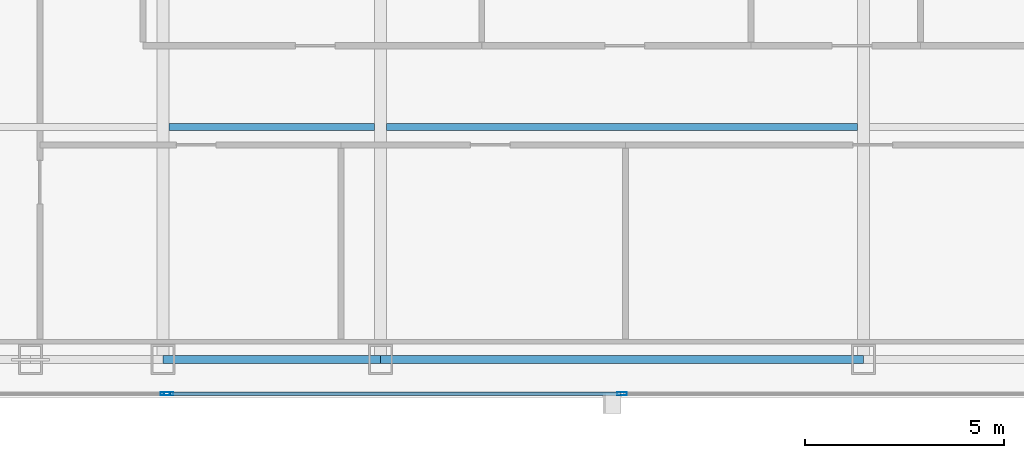
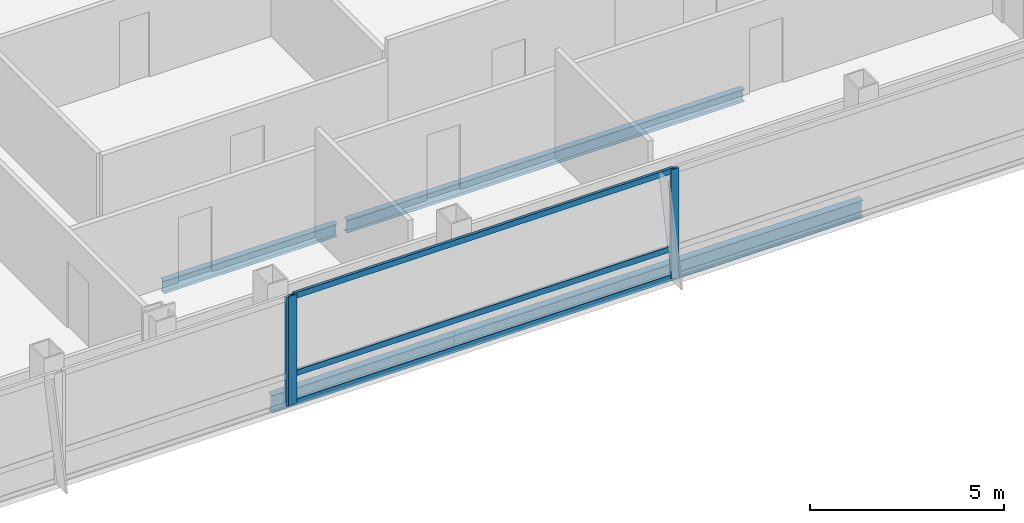
# One storey, part 8 of 30: 6 members, 4 beams, 2 elements without a shape of their own.
"""IFC4 building model written with IfcOpenShell, lengths in metres."""

import ifcopenshell
import ifcopenshell.guid

model = None  # the IFC model being written
_history = None  # IfcOwnerHistory: only IFC2X3 demands one
_inside = {}  # id of a spatial element -> (the spatial element, [elements in it])
_under = {}  # id of a project, library or spatial element -> (it, [spatial elements below it])
_declared = {}  # id of a project -> (the project, [libraries it declares])
_typed = {}  # id of a type object -> (the type object, [elements of that type])
_made_of = {}  # id of a material, layer set ... -> (it, [elements and type objects made of it])


def new_model(schema):
    """Start an empty IFC model of exactly this schema.

    Asked for "IFC4X3", IfcOpenShell would pick the latest addendum, in which some entities
    have other attributes; the version numbers below select the first issue.
    IFC2X3 requires an IfcOwnerHistory on every rooted entity: one is made here for all.
    """
    global model, _history
    if schema == "IFC4X3":
        model = ifcopenshell.file(schema_version=(4, 3, 0, 0))
    else:
        model = ifcopenshell.file(schema=schema)
    _inside.clear()
    _under.clear()
    _declared.clear()
    _typed.clear()
    _made_of.clear()
    _history = None
    if model.schema == "IFC2X3":
        org = make("IfcOrganization", Name="unknown")
        user = make(
            "IfcPersonAndOrganization",
            ThePerson=make("IfcPerson", FamilyName="unknown"),
            TheOrganization=org,
        )
        app = make(
            "IfcApplication",
            ApplicationDeveloper=org,
            Version="unknown",
            ApplicationFullName="unknown",
            ApplicationIdentifier="unknown",
        )
        _history = make(
            "IfcOwnerHistory",
            OwningUser=user,
            OwningApplication=app,
            ChangeAction="ADDED",
            CreationDate=0,
        )
    return model


def make(cls, **values):
    """One entity of the class cls with the attributes given. An attribute that is None is left unset."""
    return model.create_entity(
        cls, **{name: value for name, value in values.items() if value is not None}
    )


def rooted(cls, **values):
    """An entity with a GlobalId (a new one), such as an element, a storey or a relation."""
    return make(cls, GlobalId=ifcopenshell.guid.new(), OwnerHistory=_history, **values)


def si_unit(unit_type, name, prefix=None):
    """IfcSIUnit, for example si_unit("LENGTHUNIT", "METRE", prefix="MILLI")."""
    return make("IfcSIUnit", UnitType=unit_type, Prefix=prefix, Name=name)


def assignment(units):
    """IfcUnitAssignment: the units of a project."""
    return None if units is None else make("IfcUnitAssignment", Units=units)


def point(xyz):
    """IfcCartesianPoint."""
    return None if xyz is None else make("IfcCartesianPoint", Coordinates=xyz)


def direction(xyz):
    """IfcDirection."""
    return None if xyz is None else make("IfcDirection", DirectionRatios=xyz)


def frame(location, z_axis=None, x_axis=None):
    """IfcAxis2Placement3D, a coordinate frame: its origin and axes. An axis left out is left unset."""
    return make(
        "IfcAxis2Placement3D",
        Location=point(location),
        Axis=direction(z_axis),
        RefDirection=direction(x_axis),
    )


def frame_2d(location, x_axis=None):
    """IfcAxis2Placement2D, a coordinate frame in the plane: its origin and x axis."""
    return make(
        "IfcAxis2Placement2D", Location=point(location), RefDirection=direction(x_axis)
    )


def origin():
    """The frame at (0, 0, 0) with its axes left unset."""
    return frame((0.0, 0.0, 0.0))


def origin_2d():
    """The frame at (0, 0) in the plane with its x axis left unset."""
    return frame_2d((0.0, 0.0))


def place(relative_to, where):
    """IfcLocalPlacement: puts the frame where relative to a parent placement (None: the world)."""
    return make(
        "IfcLocalPlacement", PlacementRelTo=relative_to, RelativePlacement=where
    )


def context(
    kind, dimensions, precision=None, world=None, true_north=None, identifier=None
):
    """IfcGeometricRepresentationContext, for example the 3D "Model" context."""
    return make(
        "IfcGeometricRepresentationContext",
        ContextIdentifier=identifier,
        ContextType=kind,
        CoordinateSpaceDimension=dimensions,
        Precision=precision,
        WorldCoordinateSystem=world,
        TrueNorth=true_north,
    )


def subcontext(parent, identifier, kind, view, scale=None):
    """IfcGeometricRepresentationSubContext, for example "Body" below "Model"."""
    return make(
        "IfcGeometricRepresentationSubContext",
        ContextIdentifier=identifier,
        ContextType=kind,
        ParentContext=parent,
        TargetScale=scale,
        TargetView=view,
    )


def project(units=None, contexts=None):
    """IfcProject with its units and contexts."""
    return rooted(
        "IfcProject",
        Name="project",
        RepresentationContexts=contexts,
        UnitsInContext=assignment(units),
    )


def spatial(cls, under=None, at=None, **own):
    """A site, building, storey or space (cls), placed at a placement, below another one or the project."""
    s = rooted(cls, ObjectPlacement=at, **own)
    if under is not None:
        _under.setdefault(under.id(), (under, []))[1].append(s)
    return s


def profile(cls, at=None, kind="AREA", **sizes):
    """A parametric profile (cls). Its sizes go by their IFC names, for example OverallWidth=200.0."""
    return make(cls, ProfileType=kind, Position=at, **sizes)


def hollow_rectangle(**sizes):
    """IfcRectangleHollowProfileDef."""
    return profile("IfcRectangleHollowProfileDef", **sizes)


def i_section(**sizes):
    """IfcIShapeProfileDef."""
    return profile("IfcIShapeProfileDef", **sizes)


def extrude(swept, where, along, depth):
    """IfcExtrudedAreaSolid: the profile swept, set in the frame where, extruded along a direction by depth."""
    return make(
        "IfcExtrudedAreaSolid",
        SweptArea=swept,
        Position=where,
        ExtrudedDirection=direction(along),
        Depth=depth,
    )


def shape(context_of_items, identifier, shape_type, items):
    """IfcShapeRepresentation: the items that make up one representation, for example the "Body"."""
    return make(
        "IfcShapeRepresentation",
        ContextOfItems=context_of_items,
        RepresentationIdentifier=identifier,
        RepresentationType=shape_type,
        Items=items,
    )


def material(Name=None, Category=None):
    """IfcMaterial."""
    return make("IfcMaterial", Name=Name, Category=Category)


def material_profile(
    of_material, cross_section, Name=None, Category=None, Priority=None
):
    """IfcMaterialProfile: a cross section and its material."""
    return make(
        "IfcMaterialProfile",
        Name=Name,
        Material=of_material,
        Profile=cross_section,
        Priority=Priority,
        Category=Category,
    )


def profile_set(profiles, Name=None, composite=None):
    """IfcMaterialProfileSet."""
    return make(
        "IfcMaterialProfileSet",
        Name=Name,
        MaterialProfiles=profiles,
        CompositeProfile=composite,
    )


def made_of(thing, what):
    """Note that an element or type object is made of a material, layer set ...; save() writes the relation."""
    if what is not None:
        _made_of.setdefault(what.id(), (what, []))[1].append(thing)
    return thing


def type_object(cls, material=None, **own):
    """A type object (cls), such as IfcWallType, which elements share."""
    return made_of(rooted(cls, **own), material)


def element(
    cls,
    number,
    at=None,
    inside=None,
    cuts=None,
    type_object=None,
    material=None,
    context=None,
    identifier="Body",
    shape_type=None,
    held_by="IfcProductDefinitionShape",
    body=None,
    shapes=None,
    **own,
):
    """One element of the class cls, such as IfcWall. Its Tag is "e" and its number.

    at: its placement. inside: the storey or other place that contains it. cuts: it is an
    opening in that element (IfcRelVoidsElement). A single representation is given by context,
    identifier, shape_type and body (its items); several are given by shapes. held_by: the class
    of the entity that holds the representations. save() writes the other relations.
    """
    e = rooted(cls, Tag="e%d" % number, ObjectPlacement=at, **own)
    if body is not None:
        shapes = [shape(context, identifier, shape_type, body)]
    if shapes is not None:
        e.Representation = make(held_by, Representations=shapes)
    if inside is not None:
        _inside.setdefault(inside.id(), (inside, []))[1].append(e)
    if cuts is not None:
        rooted(
            "IfcRelVoidsElement", RelatingBuildingElement=cuts, RelatedOpeningElement=e
        )
    if type_object is not None:
        _typed.setdefault(type_object.id(), (type_object, []))[1].append(e)
    return made_of(e, material)


def aggregate(whole, parts):
    """IfcRelAggregates: a whole, such as a stair, and the parts it consists of."""
    return rooted("IfcRelAggregates", RelatingObject=whole, RelatedObjects=parts)


def save(model, path):
    """Write the relations noted so far, then the file.

    IfcRelAggregates (storeys below a building ...), IfcRelContainedInSpatialStructure (elements
    in a storey), IfcRelDefinesByType, IfcRelAssociatesMaterial and IfcRelDeclares: one each for
    every whole, place, type object, material and project.
    """
    for whole, parts in _under.values():
        aggregate(whole, parts)
    for where, things in _inside.values():
        rooted(
            "IfcRelContainedInSpatialStructure",
            RelatedElements=things,
            RelatingStructure=where,
        )
    for kind, things in _typed.values():
        rooted("IfcRelDefinesByType", RelatedObjects=things, RelatingType=kind)
    for what, things in _made_of.values():
        rooted("IfcRelAssociatesMaterial", RelatedObjects=things, RelatingMaterial=what)
    for by, libraries in _declared.values():
        rooted("IfcRelDeclares", RelatingContext=by, RelatedDefinitions=libraries)
    model.write(path)


model = new_model("IFC4")

# Units and contexts
model_context = context("Model", 3, precision=1e-05, world=origin(), true_north=direction((0.0, 1.0)))
body_context = subcontext(model_context, "Body", "Model", "MODEL_VIEW")
ifc_project = project(units=[si_unit("LENGTHUNIT", "METRE"), si_unit("AREAUNIT", "SQUARE_METRE"), si_unit("VOLUMEUNIT", "CUBIC_METRE"), si_unit("PLANEANGLEUNIT", "RADIAN"), si_unit("MASSUNIT", "GRAM", prefix="KILO")], contexts=[model_context])

# Site, building, storey
site_placement = place(None, origin())
site = spatial("IfcSite", under=ifc_project, at=site_placement, CompositionType="ELEMENT")
building_placement = place(site_placement, origin())
building = spatial("IfcBuilding", under=site, at=building_placement, Name="Khoronbel Lancet Exchange", CompositionType="ELEMENT")
storey_placement = place(building_placement, frame((0.0, 0.0, 280.60009765625)))
storey = spatial("IfcBuildingStorey", under=building, at=storey_placement, Name="L72", CompositionType="ELEMENT", Elevation=280.60009765625)

# Beams
ifc_material_1 = material(Name="Steel S355", Category="steel")
ifc_material_profile_1 = material_profile(ifc_material_1, i_section(OverallWidth=0.179931640625, OverallDepth=0.39990234375, WebThickness=0.008544921875, FlangeThickness=0.013427734375, at=origin_2d()), Name="IPE 400")
ifc_profile_set_1 = profile_set([ifc_material_profile_1], Name="Steel S355")
beam_type_1 = type_object("IfcBeamType", Name="BM-BJ5", PredefinedType="JOIST", material=ifc_profile_set_1)
beam_1_placement = place(storey_placement, frame((25.050048828125, 16.0, -0.360107421875), z_axis=(1.0, 0.0, 0.0), x_axis=(0.0, 1.0, 0.0)))
element("IfcBeam", 1, at=beam_1_placement, inside=storey, type_object=beam_type_1, Name="Level L72 secondary composite joist J02", PredefinedType="JOIST", context=body_context, shape_type="SweptSolid", body=[
    extrude(i_section(OverallWidth=0.179931640625, OverallDepth=0.39990234375, WebThickness=0.008544921875, FlangeThickness=0.013427734375, at=origin_2d()), origin(), (0.0, 0.0, 1.0), 5.175048828125),
])
beam_2_placement = place(storey_placement, frame((30.52490234375, 16.0, -0.360107421875), z_axis=(1.0, 0.0, 0.0), x_axis=(0.0, 1.0, 0.0)))
element("IfcBeam", 2, at=beam_2_placement, inside=storey, type_object=beam_type_1, Name="Level L72 secondary composite joist J03", PredefinedType="JOIST", context=body_context, shape_type="SweptSolid", body=[
    extrude(i_section(OverallWidth=0.179931640625, OverallDepth=0.39990234375, WebThickness=0.008544921875, FlangeThickness=0.013427734375, at=origin_2d()), origin(), (0.0, 0.0, 1.0), 11.85009765625),
])
ifc_material_profile_2 = material_profile(ifc_material_1, i_section(OverallWidth=0.2099609375, OverallDepth=0.550048828125, WebThickness=0.010986328125, FlangeThickness=0.01708984375, at=origin_2d()), Name="IPE 550")
ifc_profile_set_2 = profile_set([ifc_material_profile_2], Name="Steel S355")
beam_type_2 = type_object("IfcBeamType", Name="BM-BSP3", PredefinedType="SPANDREL", material=ifc_profile_set_2)
beam_3_placement = place(storey_placement, frame((24.89990234375, 10.14990234375, -0.43505859375), z_axis=(1.0, 0.0, 0.0), x_axis=(0.0, 1.0, 0.0)))
element("IfcBeam", 3, at=beam_3_placement, inside=storey, type_object=beam_type_2, Name="Level L72 perimeter spandrel beam SP04", PredefinedType="SPANDREL", context=body_context, shape_type="SweptSolid", body=[
    extrude(i_section(OverallWidth=0.2099609375, OverallDepth=0.550048828125, WebThickness=0.010986328125, FlangeThickness=0.01708984375, at=origin_2d()), origin(), (0.0, 0.0, 1.0), 5.47509765625),
])
beam_4_placement = place(storey_placement, frame((30.375, 10.14990234375, -0.43505859375), z_axis=(1.0, 0.0, 0.0), x_axis=(0.0, 1.0, 0.0)))
element("IfcBeam", 4, at=beam_4_placement, inside=storey, type_object=beam_type_2, Name="Level L72 perimeter spandrel beam SP05", PredefinedType="SPANDREL", context=body_context, shape_type="SweptSolid", body=[
    extrude(i_section(OverallWidth=0.2099609375, OverallDepth=0.550048828125, WebThickness=0.010986328125, FlangeThickness=0.01708984375, at=origin_2d()), origin(), (0.0, 0.0, 1.0), 12.14990234375),
])

# Curtain wall, member
ifc_material_2 = material(Name="Low-E Solar Control Insulating Glass", Category="glass")
curtain_wall_type = type_object("IfcCurtainWallType", Name="CW-3", PredefinedType="NOTDEFINED", material=ifc_material_2)
curtain_wall_1_placement = place(storey_placement, origin())
curtain_wall_1 = element("IfcCurtainWall", 5, at=curtain_wall_1_placement, inside=storey, type_object=curtain_wall_type, Name="Unitised curtain wall CW-L72-SWB", PredefinedType="NOTDEFINED")
ifc_material_3 = material(Name="Bronze-Anodised Aluminium 6063-T6", Category="aluminium")
ifc_material_profile_3 = material_profile(ifc_material_3, hollow_rectangle(XDim=0.0849609375, YDim=0.239990234375, WallThickness=0.006103515625, at=origin_2d()), Name="ALU MULLION 85x240")
ifc_profile_set_3 = profile_set([ifc_material_profile_3], Name="Bronze-Anodised Aluminium 6063-T6")
member_type_1 = type_object("IfcMemberType", Name="MEM-CWM1", PredefinedType="MULLION", material=ifc_profile_set_3)
member_1_placement = place(storey_placement, frame((24.95751953125, 9.2900390625, 0.0), z_axis=(0.0, 0.0, 1.0), x_axis=(0.0, 1.0, 0.0)))
member_1 = element("IfcMember", 6, at=member_1_placement, type_object=member_type_1, Name="CW3 mullion 2", PredefinedType="MULLION", context=body_context, shape_type="SweptSolid", body=[
    extrude(hollow_rectangle(XDim=0.0849609375, YDim=0.239990234375, WallThickness=0.006103515625, at=origin_2d()), origin(), (0.0, 0.0, 1.0), 3.43994140625),
])
aggregate(curtain_wall_1, [member_1])

# Curtain wall, members
curtain_wall_2_placement = place(storey_placement, origin())
curtain_wall_2 = element("IfcCurtainWall", 7, at=curtain_wall_2_placement, inside=storey, type_object=curtain_wall_type, Name="Unitised curtain wall CW-L72-SCV", PredefinedType="NOTDEFINED")
member_2_placement = place(storey_placement, frame((25.04248046875, 9.2900390625, 0.0), z_axis=(0.0, 0.0, 1.0), x_axis=(0.0, 1.0, 0.0)))
member_2 = element("IfcMember", 8, at=member_2_placement, type_object=member_type_1, Name="CW3 mullion 1", PredefinedType="MULLION", context=body_context, shape_type="SweptSolid", body=[
    extrude(hollow_rectangle(XDim=0.0849609375, YDim=0.239990234375, WallThickness=0.006103515625, at=origin_2d()), origin(), (0.0, 0.0, 1.0), 3.43994140625),
])
member_3_placement = place(storey_placement, frame((36.449951171875, 9.2900390625, 0.0), z_axis=(0.0, 0.0, 1.0), x_axis=(0.0, 1.0, 0.0)))
member_3 = element("IfcMember", 9, at=member_3_placement, type_object=member_type_1, Name="CW3 mullion 2", PredefinedType="MULLION", context=body_context, shape_type="SweptSolid", body=[
    extrude(hollow_rectangle(XDim=0.0849609375, YDim=0.239990234375, WallThickness=0.006103515625, at=origin_2d()), origin(), (0.0, 0.0, 1.0), 3.43994140625),
])
ifc_material_profile_4 = material_profile(ifc_material_3, hollow_rectangle(XDim=0.0849609375, YDim=0.179931640625, WallThickness=0.0048828125, at=origin_2d()), Name="ALU TRANSOM 85x180")
ifc_profile_set_4 = profile_set([ifc_material_profile_4], Name="Bronze-Anodised Aluminium 6063-T6")
member_type_2 = type_object("IfcMemberType", Name="MEM-CWT1", PredefinedType="USERDEFINED", material=ifc_profile_set_4)
member_4_placement = place(storey_placement, frame((25.0849609375, 9.2900390625, 0.04248046875), z_axis=(1.0, 0.0, 0.0), x_axis=(0.0, 1.0, 0.0)))
member_4 = element("IfcMember", 10, at=member_4_placement, type_object=member_type_2, Name="CW3 transom 1.1", ObjectType="TRANSOM", PredefinedType="USERDEFINED", context=body_context, shape_type="SweptSolid", body=[
    extrude(hollow_rectangle(XDim=0.0849609375, YDim=0.179931640625, WallThickness=0.0048828125, at=origin_2d()), origin(), (0.0, 0.0, 1.0), 11.322509765625),
])
member_5_placement = place(storey_placement, frame((25.0849609375, 9.2900390625, 0.949951171875), z_axis=(1.0, 0.0, 0.0), x_axis=(0.0, 1.0, 0.0)))
member_5 = element("IfcMember", 11, at=member_5_placement, type_object=member_type_2, Name="CW3 transom 1.2", ObjectType="TRANSOM", PredefinedType="USERDEFINED", context=body_context, shape_type="SweptSolid", body=[
    extrude(hollow_rectangle(XDim=0.0849609375, YDim=0.179931640625, WallThickness=0.0048828125, at=origin_2d()), origin(), (0.0, 0.0, 1.0), 11.322509765625),
])
member_6_placement = place(storey_placement, frame((25.0849609375, 9.2900390625, 3.3974609375), z_axis=(1.0, 0.0, 0.0), x_axis=(0.0, 1.0, 0.0)))
member_6 = element("IfcMember", 12, at=member_6_placement, type_object=member_type_2, Name="CW3 transom 1.3", ObjectType="TRANSOM", PredefinedType="USERDEFINED", context=body_context, shape_type="SweptSolid", body=[
    extrude(hollow_rectangle(XDim=0.0849609375, YDim=0.179931640625, WallThickness=0.0048828125, at=origin_2d()), origin(), (0.0, 0.0, 1.0), 11.322509765625),
])
aggregate(curtain_wall_2, [member_2, member_3, member_4, member_5, member_6])

save(model, "model.ifc")
